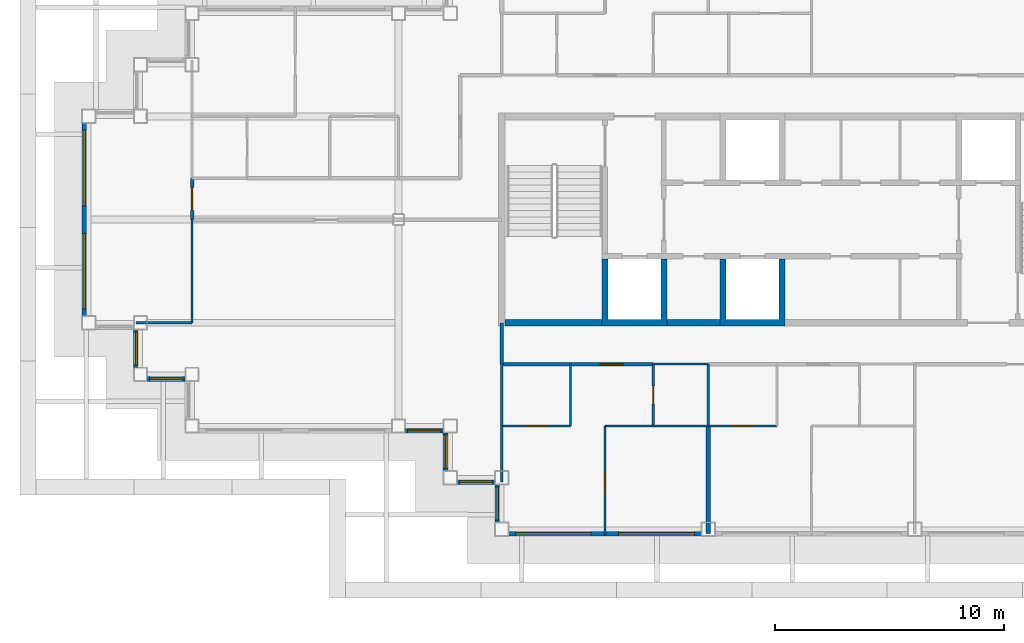
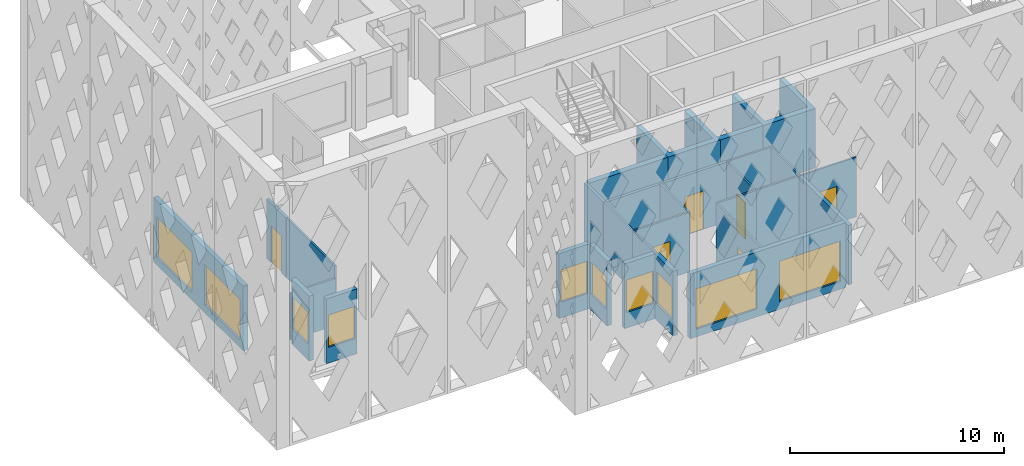
# One storey, part 2 of 15: 29 walls, 10 windows, 6 doors, 16 openings.
"""IFC4 building model written with IfcOpenShell, lengths in metres."""

from ifc_helpers import new_model, si_unit, direction, frame, frame_2d, origin, place, context, subcontext, project, spatial, polyline, rectangle, outline, extrude, material, layer, layer_set, type_object, element, fill, save


model = new_model("IFC4")

# Units and contexts
model_context = context("Model", 3, precision=1e-05, world=origin(), true_north=direction((0.0, 1.0)))
body_context = subcontext(model_context, "Body", "Model", "MODEL_VIEW")
ifc_project = project(units=[si_unit("LENGTHUNIT", "METRE"), si_unit("AREAUNIT", "SQUARE_METRE"), si_unit("VOLUMEUNIT", "CUBIC_METRE"), si_unit("PLANEANGLEUNIT", "RADIAN"), si_unit("MASSUNIT", "GRAM", prefix="KILO")], contexts=[model_context])

# Site, building, storey
site_placement = place(None, origin())
site = spatial("IfcSite", under=ifc_project, at=site_placement, CompositionType="ELEMENT")
building_placement = place(site_placement, origin())
building = spatial("IfcBuilding", under=site, at=building_placement, Name="Caravel Reach Hotel and Residences", CompositionType="ELEMENT")
storey_placement = place(building_placement, frame((0.0, 0.0, 252.699951171875)))
storey = spatial("IfcBuildingStorey", under=building, at=storey_placement, Name="L64", CompositionType="ELEMENT", Elevation=252.699951171875)

# Walls
ifc_material_1 = material(Name="Gypsum board on steel stud", Category="steel")
ifc_layer_1 = layer(ifc_material_1, 0.10009765625)
ifc_layer_set_1 = layer_set([ifc_layer_1], Name="Bathroom pod wall 100 mm")
wall_type_1 = type_object("IfcWallType", Name="Bathroom pod wall 100 mm", PredefinedType="PARTITIONING", material=ifc_layer_set_1)
for number, where, z_axis, x_axis, name in (
    (1, (24.60009765625, 18.0, 0.0), (0.0, 0.0, 1.0), (1.0, 0.0, 0.0), "L64 wall w053"),
    (2, (24.60009765625, 20.699951171875, 0.0), (0.0, 0.0, 1.0), (1.0, 0.0, 0.0), "L64 wall w055"),
):
    element("IfcWall", number, at=place(storey_placement, frame(where, z_axis=z_axis, x_axis=x_axis)), inside=storey, type_object=wall_type_1, Name=name, PredefinedType="PARTITIONING", context=body_context, shape_type="SweptSolid", body=[
        extrude(rectangle(XDim=2.39990234375, YDim=0.10009765625, at=frame_2d((1.199951171875, 0.0))), origin(), (0.0, 0.0, 1.0), 3.400146484375),
    ])

# Wall, opening, door
wall_1_placement = place(storey_placement, frame((24.60009765625, 18.0, 0.0), z_axis=(0.0, 0.0, 1.0), x_axis=(0.0, 1.0, 0.0)))
wall_1 = element("IfcWall", 3, at=wall_1_placement, inside=storey, type_object=wall_type_1, Name="L64 wall w063", PredefinedType="PARTITIONING", context=body_context, shape_type="SweptSolid", body=[
    extrude(rectangle(XDim=2.699951171875, YDim=0.10009765625, at=frame_2d((1.35009765625, 0.0))), origin(), (0.0, 0.0, 1.0), 3.400146484375),
])
opening_1_placement = place(wall_1_placement, frame((0.949951171875, 0.0, 0.0)))
opening_1 = element("IfcOpeningElement", 4, at=opening_1_placement, cuts=wall_1, Name="Opening D64-032", PredefinedType="OPENING", context=body_context, shape_type="SweptSolid", body=[
    extrude(rectangle(XDim=0.800048828125, YDim=2.10009765625, at=frame_2d((0.39990234375, 1.050048828125))), frame((0.0, 0.06005859375, 0.0), z_axis=(0.0, -1.0, 0.0), x_axis=(1.0, 0.0, 0.0)), (0.0, 0.0, 1.0), 0.1201171875),
])
ifc_material_2 = material(Name="Timber and steel door leaf", Category="steel")
door_type_1 = type_object("IfcDoorType", Name="Bathroom door 800 x 2100", OperationType="SINGLE_SWING_LEFT", PredefinedType="DOOR", material=ifc_material_2)
door_1_placement = place(opening_1_placement, origin())
door_1 = element("IfcDoor", 5, at=door_1_placement, inside=storey, type_object=door_type_1, Name="door D64-032", OperationType="SINGLE_SWING_LEFT", OverallHeight=2.10009765625, OverallWidth=0.800048828125, PredefinedType="DOOR", context=body_context, shape_type="SweptSolid", body=[
    extrude(rectangle(XDim=0.800048828125, YDim=2.10009765625, at=frame_2d((0.39990234375, 1.050048828125))), frame((0.0, 0.02490234375, 0.0), z_axis=(0.0, -1.0, 0.0), x_axis=(1.0, 0.0, 0.0)), (0.0, 0.0, 1.0), 0.050048828125),
])
fill(opening_1, door_1)

# Walls
wall_2_placement = place(storey_placement, frame((27.0, 18.0, 0.0), z_axis=(0.0, 0.0, 1.0), x_axis=(0.0, 1.0, 0.0)))
element("IfcWall", 6, at=wall_2_placement, inside=storey, type_object=wall_type_1, Name="L64 wall w064", PredefinedType="PARTITIONING", context=body_context, shape_type="SweptSolid", body=[
    extrude(rectangle(XDim=2.699951171875, YDim=0.10009765625, at=frame_2d((1.35009765625, 0.0))), origin(), (0.0, 0.0, 1.0), 3.400146484375),
])
ifc_material_3 = material(Name="Concrete C60", Category="concrete")
ifc_layer_2 = layer(ifc_material_3, 0.300048828125)
ifc_layer_set_2 = layer_set([ifc_layer_2], Name="Core wall 300 mm EI 120")
wall_type_2 = type_object("IfcWallType", Name="Core wall 300 mm EI 120", PredefinedType="SHEAR", material=ifc_layer_set_2)
wall_3_placement = place(storey_placement, frame((18.14990234375, 22.5, 0.0), z_axis=(0.0, 0.0, 1.0), x_axis=(1.0, 0.0, 0.0)))
element("IfcWall", 7, at=wall_3_placement, inside=storey, type_object=wall_type_2, Name="L64 core wall S1", PredefinedType="SHEAR", context=body_context, shape_type="SweptSolid", body=[
    extrude(rectangle(XDim=4.22509765625, YDim=0.300048828125, at=frame_2d((2.112548828125, 0.0))), origin(), (0.0, 0.0, 1.0), 3.400146484375),
])
wall_4_placement = place(storey_placement, frame((25.196533203125, 22.5, 0.0), z_axis=(0.0, 0.0, 1.0), x_axis=(1.0, 0.0, 0.0)))
element("IfcWall", 8, at=wall_4_placement, inside=storey, type_object=wall_type_2, Name="L64 core wall S2", PredefinedType="SHEAR", context=body_context, shape_type="SweptSolid", body=[
    extrude(rectangle(XDim=2.3212890625, YDim=0.300048828125, at=frame_2d((1.16064453125, 0.0))), origin(), (0.0, 0.0, 1.0), 3.400146484375),
])

# Wall, opening, door
ifc_material_4 = material(Name="Gypsum board on steel stud, fire-rated", Category="steel")
ifc_layer_3 = layer(ifc_material_4, 0.14990234375)
ifc_layer_set_3 = layer_set([ifc_layer_3], Name="Corridor wall 150 mm EI 60")
wall_type_3 = type_object("IfcWallType", Name="Corridor wall 150 mm EI 60", PredefinedType="PARTITIONING", material=ifc_layer_set_3)
wall_5_placement = place(storey_placement, frame((18.0, 20.699951171875, 0.0), z_axis=(0.0, 0.0, 1.0), x_axis=(1.0, 0.0, 0.0)))
wall_5 = element("IfcWall", 9, at=wall_5_placement, inside=storey, type_object=wall_type_3, Name="L64 wall w002", PredefinedType="PARTITIONING", context=body_context, shape_type="SweptSolid", body=[
    extrude(rectangle(XDim=6.60009765625, YDim=0.14990234375, at=frame_2d((3.300048828125, 0.0))), origin(), (0.0, 0.0, 1.0), 3.400146484375),
])
opening_2_placement = place(wall_5_placement, frame((4.300048828125, 0.0, 0.0)))
opening_2 = element("IfcOpeningElement", 10, at=opening_2_placement, cuts=wall_5, Name="Opening D64-030", PredefinedType="OPENING", context=body_context, shape_type="SweptSolid", body=[
    extrude(rectangle(XDim=1.0, YDim=2.199951171875, at=frame_2d((0.5, 1.10009765625))), frame((0.0, 0.0849609375, 0.0), z_axis=(0.0, -1.0, 0.0), x_axis=(1.0, 0.0, 0.0)), (0.0, 0.0, 1.0), 0.169921875),
])
ifc_material_5 = material(Name="Steel fire door leaf", Category="steel")
door_type_2 = type_object("IfcDoorType", Name="Flat entrance door 1000 x 2200 EI 60", OperationType="SINGLE_SWING_LEFT", PredefinedType="DOOR", material=ifc_material_5)
door_2_placement = place(opening_2_placement, origin())
door_2 = element("IfcDoor", 11, at=door_2_placement, inside=storey, type_object=door_type_2, Name="door D64-030", OperationType="SINGLE_SWING_RIGHT", OverallHeight=2.199951171875, OverallWidth=1.0, PredefinedType="DOOR", context=body_context, shape_type="SweptSolid", body=[
    extrude(rectangle(XDim=1.0, YDim=2.199951171875, at=frame_2d((0.5, 1.10009765625))), frame((0.0, 0.02490234375, 0.0), z_axis=(0.0, -1.0, 0.0), x_axis=(1.0, 0.0, 0.0)), (0.0, 0.0, 1.0), 0.050048828125),
])
fill(opening_2, door_2)

# Wall
wall_6_placement = place(storey_placement, frame((18.0, 20.699951171875, 0.0), z_axis=(0.0, 0.0, 1.0), x_axis=(0.0, 1.0, 0.0)))
element("IfcWall", 12, at=wall_6_placement, inside=storey, type_object=wall_type_3, Name="L64 wall w018", PredefinedType="PARTITIONING", context=body_context, shape_type="SweptSolid", body=[
    extrude(rectangle(XDim=1.800048828125, YDim=0.14990234375, at=frame_2d((0.89990234375, 0.0))), origin(), (0.0, 0.0, 1.0), 3.400146484375),
])

# Wall, opening, door
wall_7_placement = place(storey_placement, frame((4.5, 27.0, 0.0), z_axis=(0.0, 0.0, 1.0), x_axis=(0.0, 1.0, 0.0)))
wall_7 = element("IfcWall", 13, at=wall_7_placement, inside=storey, type_object=wall_type_3, Name="L64 wall w019", PredefinedType="PARTITIONING", context=body_context, shape_type="SweptSolid", body=[
    extrude(rectangle(XDim=1.800048828125, YDim=0.14990234375, at=frame_2d((0.89990234375, 0.0))), origin(), (0.0, 0.0, 1.0), 3.400146484375),
])
opening_3_placement = place(wall_7_placement, frame((0.39990234375, 0.0, 0.0)))
opening_3 = element("IfcOpeningElement", 14, at=opening_3_placement, cuts=wall_7, Name="Opening D64-039", PredefinedType="OPENING", context=body_context, shape_type="SweptSolid", body=[
    extrude(rectangle(XDim=1.0, YDim=2.10009765625, at=frame_2d((0.5, 1.050048828125))), frame((0.0, 0.0849609375, 0.0), z_axis=(0.0, -1.0, 0.0), x_axis=(1.0, 0.0, 0.0)), (0.0, 0.0, 1.0), 0.169921875),
])
ifc_material_6 = material(Name="Steel fire door leaf", Category="steel")
door_type_3 = type_object("IfcDoorType", Name="Fire door 1000 x 2100 EI 60", OperationType="SINGLE_SWING_LEFT", PredefinedType="DOOR", material=ifc_material_6)
door_3_placement = place(opening_3_placement, origin())
door_3 = element("IfcDoor", 15, at=door_3_placement, inside=storey, type_object=door_type_3, Name="door D64-039", OperationType="SINGLE_SWING_RIGHT", OverallHeight=2.10009765625, OverallWidth=1.0, PredefinedType="DOOR", context=body_context, shape_type="SweptSolid", body=[
    extrude(rectangle(XDim=1.0, YDim=2.10009765625, at=frame_2d((0.5, 1.050048828125))), frame((0.0, 0.02490234375, 0.0), z_axis=(0.0, -1.0, 0.0), x_axis=(1.0, 0.0, 0.0)), (0.0, 0.0, 1.0), 0.050048828125),
])
fill(opening_3, door_3)

# Wall, opening, window
ifc_material_7 = material(Name="Insulated rainscreen wall, aluminium cladding", Category="aluminium")
ifc_layer_4 = layer(ifc_material_7, 0.25)
ifc_layer_set_4 = layer_set([ifc_layer_4], Name="EW1 Tower rainscreen wall")
wall_type_4 = type_object("IfcWallType", Name="EW1 Tower rainscreen wall", PredefinedType="SOLIDWALL", material=ifc_layer_set_4)
wall_8_placement = place(storey_placement, frame((15.574951171875, 17.699951171875, 0.0), z_axis=(0.0, 0.0, 1.0), x_axis=(0.0, -1.0, 0.0)))
wall_8 = element("IfcWall", 16, at=wall_8_placement, inside=storey, type_object=wall_type_4, Name="External wall L64 W1.1", PredefinedType="SOLIDWALL", context=body_context, shape_type="SweptSolid", body=[
    extrude(rectangle(XDim=1.64990234375, YDim=0.25, at=frame_2d((0.824951171875, 0.0))), origin(), (0.0, 0.0, 1.0), 3.699951171875),
])
opening_4_placement = place(wall_8_placement, frame((0.10009765625, 0.0, 0.89990234375)))
opening_4 = element("IfcOpeningElement", 17, at=opening_4_placement, cuts=wall_8, Name="Opening WN25", PredefinedType="OPENING", context=body_context, shape_type="SweptSolid", body=[
    extrude(rectangle(XDim=1.449951171875, YDim=1.85009765625, at=frame_2d((0.72509765625, 0.925048828125))), frame((0.0, 0.135009765625, 0.0), z_axis=(0.0, -1.0, 0.0), x_axis=(1.0, 0.0, 0.0)), (0.0, 0.0, 1.0), 0.27001953125),
])
ifc_material_8 = material(Name="Dark low-e glazing in black aluminium frame", Category="aluminium")
window_type_1 = type_object("IfcWindowType", Name="Residence bedroom window 1450 x 1850", PartitioningType="SINGLE_PANEL", PredefinedType="WINDOW", material=ifc_material_8)
window_1_placement = place(opening_4_placement, origin())
window_1 = element("IfcWindow", 18, at=window_1_placement, inside=storey, type_object=window_type_1, Name="Window L64 W1.1.1", OverallHeight=1.85009765625, OverallWidth=1.449951171875, PartitioningType="SINGLE_PANEL", PredefinedType="WINDOW", context=body_context, shape_type="SweptSolid", body=[
    extrude(rectangle(XDim=1.449951171875, YDim=1.85009765625, at=frame_2d((0.72509765625, 0.925048828125))), frame((0.0, 0.030029296875, 0.0), z_axis=(0.0, -1.0, 0.0), x_axis=(1.0, 0.0, 0.0)), (0.0, 0.0, 1.0), 0.06005859375),
])
fill(opening_4, window_1)

wall_9_placement = place(storey_placement, frame((16.050048828125, 15.574951171875, 0.0), z_axis=(0.0, 0.0, 1.0), x_axis=(1.0, 0.0, 0.0)))
wall_9 = element("IfcWall", 19, at=wall_9_placement, inside=storey, type_object=wall_type_4, Name="External wall L64 S2.1", PredefinedType="SOLIDWALL", context=body_context, shape_type="SweptSolid", body=[
    extrude(rectangle(XDim=1.64990234375, YDim=0.25, at=frame_2d((0.824951171875, 0.0))), origin(), (0.0, 0.0, 1.0), 3.699951171875),
])
opening_5_placement = place(wall_9_placement, frame((0.10009765625, 0.0, 0.89990234375)))
opening_5 = element("IfcOpeningElement", 20, at=opening_5_placement, cuts=wall_9, Name="Opening WN25", PredefinedType="OPENING", context=body_context, shape_type="SweptSolid", body=[
    extrude(rectangle(XDim=1.449951171875, YDim=1.85009765625, at=frame_2d((0.72509765625, 0.925048828125))), frame((0.0, 0.135009765625, 0.0), z_axis=(0.0, -1.0, 0.0), x_axis=(1.0, 0.0, 0.0)), (0.0, 0.0, 1.0), 0.27001953125),
])
window_2_placement = place(opening_5_placement, origin())
window_2 = element("IfcWindow", 21, at=window_2_placement, inside=storey, type_object=window_type_1, Name="Window L64 S2.1.1", OverallHeight=1.85009765625, OverallWidth=1.449951171875, PartitioningType="SINGLE_PANEL", PredefinedType="WINDOW", context=body_context, shape_type="SweptSolid", body=[
    extrude(rectangle(XDim=1.449951171875, YDim=1.85009765625, at=frame_2d((0.72509765625, 0.925048828125))), frame((0.0, 0.030029296875, 0.0), z_axis=(0.0, -1.0, 0.0), x_axis=(1.0, 0.0, 0.0)), (0.0, 0.0, 1.0), 0.06005859375),
])
fill(opening_5, window_2)

wall_10_placement = place(storey_placement, frame((17.824951171875, 15.449951171875, 0.0), z_axis=(0.0, 0.0, 1.0), x_axis=(0.0, -1.0, 0.0)))
wall_10 = element("IfcWall", 22, at=wall_10_placement, inside=storey, type_object=wall_type_4, Name="External wall L64 W3.1", PredefinedType="SOLIDWALL", context=body_context, shape_type="SweptSolid", body=[
    extrude(rectangle(XDim=1.64990234375, YDim=0.25, at=frame_2d((0.824951171875, 0.0))), origin(), (0.0, 0.0, 1.0), 3.699951171875),
])
opening_6_placement = place(wall_10_placement, frame((0.10009765625, 0.0, 0.89990234375)))
opening_6 = element("IfcOpeningElement", 23, at=opening_6_placement, cuts=wall_10, Name="Opening WN25", PredefinedType="OPENING", context=body_context, shape_type="SweptSolid", body=[
    extrude(rectangle(XDim=1.449951171875, YDim=1.85009765625, at=frame_2d((0.72509765625, 0.925048828125))), frame((0.0, 0.135009765625, 0.0), z_axis=(0.0, -1.0, 0.0), x_axis=(1.0, 0.0, 0.0)), (0.0, 0.0, 1.0), 0.27001953125),
])
window_3_placement = place(opening_6_placement, origin())
window_3 = element("IfcWindow", 24, at=window_3_placement, inside=storey, type_object=window_type_1, Name="Window L64 W3.1.1", OverallHeight=1.85009765625, OverallWidth=1.449951171875, PartitioningType="SINGLE_PANEL", PredefinedType="WINDOW", context=body_context, shape_type="SweptSolid", body=[
    extrude(rectangle(XDim=1.449951171875, YDim=1.85009765625, at=frame_2d((0.72509765625, 0.925048828125))), frame((0.0, 0.030029296875, 0.0), z_axis=(0.0, -1.0, 0.0), x_axis=(1.0, 0.0, 0.0)), (0.0, 0.0, 1.0), 0.06005859375),
])
fill(opening_6, window_3)

# Wall, openings, windows
wall_11_placement = place(storey_placement, frame((18.300048828125, 13.324951171875, 0.0), z_axis=(0.0, 0.0, 1.0), x_axis=(1.0, 0.0, 0.0)))
wall_11 = element("IfcWall", 25, at=wall_11_placement, inside=storey, type_object=wall_type_4, Name="External wall L64 S4.1", PredefinedType="SOLIDWALL", context=body_context, shape_type="SweptSolid", body=[
    extrude(rectangle(XDim=8.39990234375, YDim=0.25, at=frame_2d((4.199951171875, 0.0))), origin(), (0.0, 0.0, 1.0), 3.699951171875),
])
opening_7_placement = place(wall_11_placement, frame((0.300048828125, 0.0, 0.449951171875)))
opening_7 = element("IfcOpeningElement", 26, at=opening_7_placement, cuts=wall_11, Name="Opening WN15", PredefinedType="OPENING", context=body_context, shape_type="SweptSolid", body=[
    extrude(rectangle(XDim=3.300048828125, YDim=2.300048828125, at=frame_2d((1.64990234375, 1.14990234375))), frame((0.0, 0.135009765625, 0.0), z_axis=(0.0, -1.0, 0.0), x_axis=(1.0, 0.0, 0.0)), (0.0, 0.0, 1.0), 0.27001953125),
])
opening_8_placement = place(wall_11_placement, frame((4.800048828125, 0.0, 0.449951171875)))
opening_8 = element("IfcOpeningElement", 27, at=opening_8_placement, cuts=wall_11, Name="Opening WN15", PredefinedType="OPENING", context=body_context, shape_type="SweptSolid", body=[
    extrude(rectangle(XDim=3.300048828125, YDim=2.300048828125, at=frame_2d((1.64990234375, 1.14990234375))), frame((0.0, 0.135009765625, 0.0), z_axis=(0.0, -1.0, 0.0), x_axis=(1.0, 0.0, 0.0)), (0.0, 0.0, 1.0), 0.27001953125),
])
ifc_material_9 = material(Name="Dark low-e glazing in black aluminium frame", Category="aluminium")
window_type_2 = type_object("IfcWindowType", Name="Residence living window 3300 x 2300", PartitioningType="SINGLE_PANEL", PredefinedType="WINDOW", material=ifc_material_9)
window_4_placement = place(opening_7_placement, origin())
window_4 = element("IfcWindow", 28, at=window_4_placement, inside=storey, type_object=window_type_2, Name="Window L64 S4.1.1", OverallHeight=2.300048828125, OverallWidth=3.300048828125, PartitioningType="SINGLE_PANEL", PredefinedType="WINDOW", context=body_context, shape_type="SweptSolid", body=[
    extrude(rectangle(XDim=3.300048828125, YDim=2.300048828125, at=frame_2d((1.64990234375, 1.14990234375))), frame((0.0, 0.030029296875, 0.0), z_axis=(0.0, -1.0, 0.0), x_axis=(1.0, 0.0, 0.0)), (0.0, 0.0, 1.0), 0.06005859375),
])
fill(opening_7, window_4)
window_5_placement = place(opening_8_placement, origin())
window_5 = element("IfcWindow", 29, at=window_5_placement, inside=storey, type_object=window_type_2, Name="Window L64 S4.1.2", OverallHeight=2.300048828125, OverallWidth=3.300048828125, PartitioningType="SINGLE_PANEL", PredefinedType="WINDOW", context=body_context, shape_type="SweptSolid", body=[
    extrude(rectangle(XDim=3.300048828125, YDim=2.300048828125, at=frame_2d((1.64990234375, 1.14990234375))), frame((0.0, 0.030029296875, 0.0), z_axis=(0.0, -1.0, 0.0), x_axis=(1.0, 0.0, 0.0)), (0.0, 0.0, 1.0), 0.06005859375),
])
fill(opening_8, window_5)

wall_12_placement = place(storey_placement, frame((-0.175048828125, 31.199951171875, 0.0), z_axis=(0.0, 0.0, 1.0), x_axis=(0.0, -1.0, 0.0)))
wall_12 = element("IfcWall", 30, at=wall_12_placement, inside=storey, type_object=wall_type_4, Name="External wall L64 W23.1", PredefinedType="SOLIDWALL", context=body_context, shape_type="SweptSolid", body=[
    extrude(rectangle(XDim=8.39990234375, YDim=0.25, at=frame_2d((4.199951171875, 0.0))), origin(), (0.0, 0.0, 1.0), 3.699951171875),
])
opening_9_placement = place(wall_12_placement, frame((0.300048828125, 0.0, 0.449951171875)))
opening_9 = element("IfcOpeningElement", 31, at=opening_9_placement, cuts=wall_12, Name="Opening WN15", PredefinedType="OPENING", context=body_context, shape_type="SweptSolid", body=[
    extrude(rectangle(XDim=3.300048828125, YDim=2.300048828125, at=frame_2d((1.64990234375, 1.14990234375))), frame((0.0, 0.135009765625, 0.0), z_axis=(0.0, -1.0, 0.0), x_axis=(1.0, 0.0, 0.0)), (0.0, 0.0, 1.0), 0.27001953125),
])
opening_10_placement = place(wall_12_placement, frame((4.800048828125, 0.0, 0.449951171875)))
opening_10 = element("IfcOpeningElement", 32, at=opening_10_placement, cuts=wall_12, Name="Opening WN15", PredefinedType="OPENING", context=body_context, shape_type="SweptSolid", body=[
    extrude(rectangle(XDim=3.300048828125, YDim=2.300048828125, at=frame_2d((1.64990234375, 1.14990234375))), frame((0.0, 0.135009765625, 0.0), z_axis=(0.0, -1.0, 0.0), x_axis=(1.0, 0.0, 0.0)), (0.0, 0.0, 1.0), 0.27001953125),
])
window_6_placement = place(opening_9_placement, origin())
window_6 = element("IfcWindow", 33, at=window_6_placement, inside=storey, type_object=window_type_2, Name="Window L64 W23.1.1", OverallHeight=2.300048828125, OverallWidth=3.300048828125, PartitioningType="SINGLE_PANEL", PredefinedType="WINDOW", context=body_context, shape_type="SweptSolid", body=[
    extrude(rectangle(XDim=3.300048828125, YDim=2.300048828125, at=frame_2d((1.64990234375, 1.14990234375))), frame((0.0, 0.030029296875, 0.0), z_axis=(0.0, -1.0, 0.0), x_axis=(1.0, 0.0, 0.0)), (0.0, 0.0, 1.0), 0.06005859375),
])
fill(opening_9, window_6)
window_7_placement = place(opening_10_placement, origin())
window_7 = element("IfcWindow", 34, at=window_7_placement, inside=storey, type_object=window_type_2, Name="Window L64 W23.1.2", OverallHeight=2.300048828125, OverallWidth=3.300048828125, PartitioningType="SINGLE_PANEL", PredefinedType="WINDOW", context=body_context, shape_type="SweptSolid", body=[
    extrude(rectangle(XDim=3.300048828125, YDim=2.300048828125, at=frame_2d((1.64990234375, 1.14990234375))), frame((0.0, 0.030029296875, 0.0), z_axis=(0.0, -1.0, 0.0), x_axis=(1.0, 0.0, 0.0)), (0.0, 0.0, 1.0), 0.06005859375),
])
fill(opening_10, window_7)

# Wall, opening, window
wall_13_placement = place(storey_placement, frame((2.074951171875, 22.199951171875, 0.0), z_axis=(0.0, 0.0, 1.0), x_axis=(0.0, -1.0, 0.0)))
wall_13 = element("IfcWall", 35, at=wall_13_placement, inside=storey, type_object=wall_type_4, Name="External wall L64 W25.1", PredefinedType="SOLIDWALL", context=body_context, shape_type="SweptSolid", body=[
    extrude(rectangle(XDim=1.64990234375, YDim=0.25, at=frame_2d((0.824951171875, 0.0))), origin(), (0.0, 0.0, 1.0), 3.699951171875),
])
opening_11_placement = place(wall_13_placement, frame((0.10009765625, 0.0, 0.89990234375)))
opening_11 = element("IfcOpeningElement", 36, at=opening_11_placement, cuts=wall_13, Name="Opening WN25", PredefinedType="OPENING", context=body_context, shape_type="SweptSolid", body=[
    extrude(rectangle(XDim=1.449951171875, YDim=1.85009765625, at=frame_2d((0.72509765625, 0.925048828125))), frame((0.0, 0.135009765625, 0.0), z_axis=(0.0, -1.0, 0.0), x_axis=(1.0, 0.0, 0.0)), (0.0, 0.0, 1.0), 0.27001953125),
])
window_8_placement = place(opening_11_placement, origin())
window_8 = element("IfcWindow", 37, at=window_8_placement, inside=storey, type_object=window_type_1, Name="Window L64 W25.1.1", OverallHeight=1.85009765625, OverallWidth=1.449951171875, PartitioningType="SINGLE_PANEL", PredefinedType="WINDOW", context=body_context, shape_type="SweptSolid", body=[
    extrude(rectangle(XDim=1.449951171875, YDim=1.85009765625, at=frame_2d((0.72509765625, 0.925048828125))), frame((0.0, 0.030029296875, 0.0), z_axis=(0.0, -1.0, 0.0), x_axis=(1.0, 0.0, 0.0)), (0.0, 0.0, 1.0), 0.06005859375),
])
fill(opening_11, window_8)

wall_14_placement = place(storey_placement, frame((2.550048828125, 20.074951171875, 0.0), z_axis=(0.0, 0.0, 1.0), x_axis=(1.0, 0.0, 0.0)))
wall_14 = element("IfcWall", 38, at=wall_14_placement, inside=storey, type_object=wall_type_4, Name="External wall L64 S26.1", PredefinedType="SOLIDWALL", context=body_context, shape_type="SweptSolid", body=[
    extrude(rectangle(XDim=1.64990234375, YDim=0.25, at=frame_2d((0.824951171875, 0.0))), origin(), (0.0, 0.0, 1.0), 3.699951171875),
])
opening_12_placement = place(wall_14_placement, frame((0.10009765625, 0.0, 0.89990234375)))
opening_12 = element("IfcOpeningElement", 39, at=opening_12_placement, cuts=wall_14, Name="Opening WN25", PredefinedType="OPENING", context=body_context, shape_type="SweptSolid", body=[
    extrude(rectangle(XDim=1.449951171875, YDim=1.85009765625, at=frame_2d((0.72509765625, 0.925048828125))), frame((0.0, 0.135009765625, 0.0), z_axis=(0.0, -1.0, 0.0), x_axis=(1.0, 0.0, 0.0)), (0.0, 0.0, 1.0), 0.27001953125),
])
window_9_placement = place(opening_12_placement, origin())
window_9 = element("IfcWindow", 40, at=window_9_placement, inside=storey, type_object=window_type_1, Name="Window L64 S26.1.1", OverallHeight=1.85009765625, OverallWidth=1.449951171875, PartitioningType="SINGLE_PANEL", PredefinedType="WINDOW", context=body_context, shape_type="SweptSolid", body=[
    extrude(rectangle(XDim=1.449951171875, YDim=1.85009765625, at=frame_2d((0.72509765625, 0.925048828125))), frame((0.0, 0.030029296875, 0.0), z_axis=(0.0, -1.0, 0.0), x_axis=(1.0, 0.0, 0.0)), (0.0, 0.0, 1.0), 0.06005859375),
])
fill(opening_12, window_9)

wall_15_placement = place(storey_placement, frame((13.800048828125, 17.824951171875, 0.0), z_axis=(0.0, 0.0, 1.0), x_axis=(1.0, 0.0, 0.0)))
wall_15 = element("IfcWall", 41, at=wall_15_placement, inside=storey, type_object=wall_type_4, Name="External wall L64 S28.2", PredefinedType="SOLIDWALL", context=body_context, shape_type="SweptSolid", body=[
    extrude(rectangle(XDim=1.64990234375, YDim=0.25, at=frame_2d((0.824951171875, 0.0))), origin(), (0.0, 0.0, 1.0), 3.699951171875),
])
opening_13_placement = place(wall_15_placement, frame((0.10009765625, 0.0, 0.89990234375)))
opening_13 = element("IfcOpeningElement", 42, at=opening_13_placement, cuts=wall_15, Name="Opening WN25", PredefinedType="OPENING", context=body_context, shape_type="SweptSolid", body=[
    extrude(rectangle(XDim=1.449951171875, YDim=1.85009765625, at=frame_2d((0.72509765625, 0.925048828125))), frame((0.0, 0.135009765625, 0.0), z_axis=(0.0, -1.0, 0.0), x_axis=(1.0, 0.0, 0.0)), (0.0, 0.0, 1.0), 0.27001953125),
])
window_10_placement = place(opening_13_placement, origin())
window_10 = element("IfcWindow", 43, at=window_10_placement, inside=storey, type_object=window_type_1, Name="Window L64 S28.2.1", OverallHeight=1.85009765625, OverallWidth=1.449951171875, PartitioningType="SINGLE_PANEL", PredefinedType="WINDOW", context=body_context, shape_type="SweptSolid", body=[
    extrude(rectangle(XDim=1.449951171875, YDim=1.85009765625, at=frame_2d((0.72509765625, 0.925048828125))), frame((0.0, 0.030029296875, 0.0), z_axis=(0.0, -1.0, 0.0), x_axis=(1.0, 0.0, 0.0)), (0.0, 0.0, 1.0), 0.06005859375),
])
fill(opening_13, window_10)

# Wall
ifc_material_10 = material(Name="Gypsum board on steel stud", Category="steel")
ifc_layer_5 = layer(ifc_material_10, 0.10009765625)
ifc_layer_set_5 = layer_set([ifc_layer_5], Name="Partition 100 mm")
wall_type_5 = type_object("IfcWallType", Name="Partition 100 mm", PredefinedType="PARTITIONING", material=ifc_layer_set_5)
wall_16_placement = place(storey_placement, frame((22.5, 18.0, 0.0), z_axis=(0.0, 0.0, 1.0), x_axis=(1.0, 0.0, 0.0)))
element("IfcWall", 44, at=wall_16_placement, inside=storey, type_object=wall_type_5, Name="L64 wall w021", PredefinedType="PARTITIONING", context=body_context, shape_type="SweptSolid", body=[
    extrude(rectangle(XDim=2.10009765625, YDim=0.10009765625, at=frame_2d((1.050048828125, 0.0))), origin(), (0.0, 0.0, 1.0), 3.400146484375),
])

# Wall, opening, door
wall_17_placement = place(storey_placement, frame((18.0, 18.0, 0.0), z_axis=(0.0, 0.0, 1.0), x_axis=(1.0, 0.0, 0.0)))
wall_17 = element("IfcWall", 45, at=wall_17_placement, inside=storey, type_object=wall_type_5, Name="L64 wall w022", PredefinedType="PARTITIONING", context=body_context, shape_type="SweptSolid", body=[
    extrude(rectangle(XDim=3.0, YDim=0.10009765625, at=frame_2d((1.5, 0.0))), origin(), (0.0, 0.0, 1.0), 3.400146484375),
])
opening_14_placement = place(wall_17_placement, frame((1.050048828125, 0.0, 0.0)))
opening_14 = element("IfcOpeningElement", 46, at=opening_14_placement, cuts=wall_17, Name="Opening D64-031", PredefinedType="OPENING", context=body_context, shape_type="SweptSolid", body=[
    extrude(rectangle(XDim=0.89990234375, YDim=2.10009765625, at=frame_2d((0.449951171875, 1.050048828125))), frame((0.0, 0.06005859375, 0.0), z_axis=(0.0, -1.0, 0.0), x_axis=(1.0, 0.0, 0.0)), (0.0, 0.0, 1.0), 0.1201171875),
])
ifc_material_11 = material(Name="Timber and steel door leaf", Category="steel")
door_type_4 = type_object("IfcDoorType", Name="Door 900 x 2100 timber", OperationType="SINGLE_SWING_LEFT", PredefinedType="DOOR", material=ifc_material_11)
door_4_placement = place(opening_14_placement, origin())
door_4 = element("IfcDoor", 47, at=door_4_placement, inside=storey, type_object=door_type_4, Name="door D64-031", OperationType="SINGLE_SWING_LEFT", OverallHeight=2.10009765625, OverallWidth=0.89990234375, PredefinedType="DOOR", context=body_context, shape_type="SweptSolid", body=[
    extrude(rectangle(XDim=0.89990234375, YDim=2.10009765625, at=frame_2d((0.449951171875, 1.050048828125))), frame((0.0, 0.02490234375, 0.0), z_axis=(0.0, -1.0, 0.0), x_axis=(1.0, 0.0, 0.0)), (0.0, 0.0, 1.0), 0.050048828125),
])
fill(opening_14, door_4)

wall_18_placement = place(storey_placement, frame((27.0, 18.0, 0.0), z_axis=(0.0, 0.0, 1.0), x_axis=(1.0, 0.0, 0.0)))
wall_18 = element("IfcWall", 48, at=wall_18_placement, inside=storey, type_object=wall_type_5, Name="L64 wall w024", PredefinedType="PARTITIONING", context=body_context, shape_type="SweptSolid", body=[
    extrude(rectangle(XDim=3.0, YDim=0.10009765625, at=frame_2d((1.5, 0.0))), origin(), (0.0, 0.0, 1.0), 3.400146484375),
])
opening_15_placement = place(wall_18_placement, frame((1.050048828125, 0.0, 0.0)))
opening_15 = element("IfcOpeningElement", 49, at=opening_15_placement, cuts=wall_18, Name="Opening D64-035", PredefinedType="OPENING", context=body_context, shape_type="SweptSolid", body=[
    extrude(rectangle(XDim=0.89990234375, YDim=2.10009765625, at=frame_2d((0.449951171875, 1.050048828125))), frame((0.0, 0.06005859375, 0.0), z_axis=(0.0, -1.0, 0.0), x_axis=(1.0, 0.0, 0.0)), (0.0, 0.0, 1.0), 0.1201171875),
])
door_5_placement = place(opening_15_placement, origin())
door_5 = element("IfcDoor", 50, at=door_5_placement, inside=storey, type_object=door_type_4, Name="door D64-035", OperationType="SINGLE_SWING_RIGHT", OverallHeight=2.10009765625, OverallWidth=0.89990234375, PredefinedType="DOOR", context=body_context, shape_type="SweptSolid", body=[
    extrude(rectangle(XDim=0.89990234375, YDim=2.10009765625, at=frame_2d((0.449951171875, 1.050048828125))), frame((0.0, 0.02490234375, 0.0), z_axis=(0.0, -1.0, 0.0), x_axis=(1.0, 0.0, 0.0)), (0.0, 0.0, 1.0), 0.050048828125),
])
fill(opening_15, door_5)

# Walls
wall_19_placement = place(storey_placement, frame((2.06005859375, 22.5, 0.0), z_axis=(0.0, 0.0, 1.0), x_axis=(1.0, 0.0, 0.0)))
element("IfcWall", 51, at=wall_19_placement, inside=storey, type_object=wall_type_5, Name="L64 wall w025", PredefinedType="PARTITIONING", context=body_context, shape_type="SweptSolid", body=[
    extrude(rectangle(XDim=2.43896484375, YDim=0.10009765625, at=frame_2d((1.219482421875, 0.0))), origin(), (0.0, 0.0, 1.0), 2.679931640625),
])
wall_20_placement = place(storey_placement, frame((18.0, 15.56005859375, 0.0), z_axis=(0.0, 0.0, 1.0), x_axis=(0.0, 1.0, 0.0)))
element("IfcWall", 52, at=wall_20_placement, inside=storey, type_object=wall_type_5, Name="L64 wall w034", PredefinedType="PARTITIONING", context=body_context, shape_type="SweptSolid", body=[
    extrude(rectangle(XDim=2.43896484375, YDim=0.10009765625, at=frame_2d((1.219482421875, 0.0))), origin(), (0.0, 0.0, 1.0), 3.400146484375),
])
for number, where, z_axis, x_axis, name in (
    (53, (18.0, 18.0, 0.0), (0.0, 0.0, 1.0), (0.0, 1.0, 0.0), "L64 wall w035"),
    (54, (21.0, 18.0, 0.0), (0.0, 0.0, 1.0), (0.0, 1.0, 0.0), "L64 wall w036"),
):
    element("IfcWall", number, at=place(storey_placement, frame(where, z_axis=z_axis, x_axis=x_axis)), inside=storey, type_object=wall_type_5, Name=name, PredefinedType="PARTITIONING", context=body_context, shape_type="SweptSolid", body=[
        extrude(rectangle(XDim=2.699951171875, YDim=0.10009765625, at=frame_2d((1.35009765625, 0.0))), origin(), (0.0, 0.0, 1.0), 3.400146484375),
    ])

# Wall, opening, door
wall_21_placement = place(storey_placement, frame((22.5, 13.260009765625, 0.0), z_axis=(0.0, 0.0, 1.0), x_axis=(0.0, 1.0, 0.0)))
wall_21 = element("IfcWall", 55, at=wall_21_placement, inside=storey, type_object=wall_type_5, Name="L64 wall w038", PredefinedType="PARTITIONING", context=body_context, shape_type="SweptSolid", body=[
    extrude(rectangle(XDim=4.739990234375, YDim=0.10009765625, at=frame_2d((2.3701171875, 0.0))), origin(), (0.0, 0.0, 1.0), 3.400146484375),
])
opening_16_placement = place(wall_21_placement, frame((1.800048828125, 0.0, 0.0)))
opening_16 = element("IfcOpeningElement", 56, at=opening_16_placement, cuts=wall_21, Name="Opening D64-033", PredefinedType="OPENING", context=body_context, shape_type="SweptSolid", body=[
    extrude(rectangle(XDim=0.89990234375, YDim=2.10009765625, at=frame_2d((0.449951171875, 1.050048828125))), frame((0.0, 0.06005859375, 0.0), z_axis=(0.0, -1.0, 0.0), x_axis=(1.0, 0.0, 0.0)), (0.0, 0.0, 1.0), 0.1201171875),
])
door_6_placement = place(opening_16_placement, origin())
door_6 = element("IfcDoor", 57, at=door_6_placement, inside=storey, type_object=door_type_4, Name="door D64-033", OperationType="SINGLE_SWING_LEFT", OverallHeight=2.10009765625, OverallWidth=0.89990234375, PredefinedType="DOOR", context=body_context, shape_type="SweptSolid", body=[
    extrude(rectangle(XDim=0.89990234375, YDim=2.10009765625, at=frame_2d((0.449951171875, 1.050048828125))), frame((0.0, 0.02490234375, 0.0), z_axis=(0.0, -1.0, 0.0), x_axis=(1.0, 0.0, 0.0)), (0.0, 0.0, 1.0), 0.050048828125),
])
fill(opening_16, door_6)

# Walls
wall_22_placement = place(storey_placement, frame((4.5, 22.5, 0.0), z_axis=(0.0, 0.0, 1.0), x_axis=(0.0, 1.0, 0.0)))
element("IfcWall", 58, at=wall_22_placement, inside=storey, type_object=wall_type_5, Name="L64 wall w048", PredefinedType="PARTITIONING", context=body_context, shape_type="SweptSolid", body=[
    extrude(rectangle(XDim=4.5, YDim=0.10009765625, at=frame_2d((2.25, 0.0))), origin(), (0.0, 0.0, 1.0), 3.400146484375),
])
ifc_material_12 = material(Name="Autoclaved aerated block wall")
ifc_layer_6 = layer(ifc_material_12, 0.199951171875)
ifc_layer_set_6 = layer_set([ifc_layer_6], Name="Party wall 200 mm EI 60")
wall_type_6 = type_object("IfcWallType", Name="Party wall 200 mm EI 60", PredefinedType="PARTITIONING", material=ifc_layer_set_6)
wall_23_placement = place(storey_placement, frame((27.0, 13.31005859375, 0.0), z_axis=(0.0, 0.0, 1.0), x_axis=(0.0, 1.0, 0.0)))
element("IfcWall", 59, at=wall_23_placement, inside=storey, type_object=wall_type_6, Name="L64 wall w052", PredefinedType="PARTITIONING", context=body_context, shape_type="SweptSolid", body=[
    extrude(rectangle(XDim=4.68994140625, YDim=0.199951171875, at=frame_2d((2.344970703125, 0.0))), origin(), (0.0, 0.0, 1.0), 3.400146484375),
])
ifc_material_13 = material(Name="Concrete C60", Category="concrete")
ifc_layer_7 = layer(ifc_material_13, 0.25)
ifc_layer_set_7 = layer_set([ifc_layer_7], Name="Shaft wall 250 mm EI 120")
wall_type_7 = type_object("IfcWallType", Name="Shaft wall 250 mm EI 120", PredefinedType="SHEAR", material=ifc_layer_set_7)
wall_24_placement = place(storey_placement, origin())
element("IfcWall", 60, at=wall_24_placement, inside=storey, type_object=wall_type_7, Name="L64 lift shaft wall S1", PredefinedType="SHEAR", context=body_context, shape_type="SweptSolid", body=[
    extrude(outline(polyline([(22.375, 22.35009765625), (25.196533203125, 22.35009765625), (25.196533203125, 25.27490234375), (24.946533203125, 25.27490234375), (24.946533203125, 22.64990234375), (22.625, 22.64990234375), (22.625, 25.27490234375), (22.375, 25.27490234375), (22.375, 22.35009765625)])), origin(), (0.0, 0.0, 1.0), 3.400146484375),
])
wall_25_placement = place(storey_placement, origin())
element("IfcWall", 61, at=wall_25_placement, inside=storey, type_object=wall_type_7, Name="L64 lift shaft wall S2", PredefinedType="SHEAR", context=body_context, shape_type="SweptSolid", body=[
    extrude(outline(polyline([(27.517822265625, 22.35009765625), (30.33935546875, 22.35009765625), (30.33935546875, 25.27490234375), (30.08935546875, 25.27490234375), (30.08935546875, 22.64990234375), (27.767822265625, 22.64990234375), (27.767822265625, 25.27490234375), (27.517822265625, 25.27490234375), (27.517822265625, 22.35009765625)])), origin(), (0.0, 0.0, 1.0), 3.400146484375),
])

save(model, "model.ifc")
